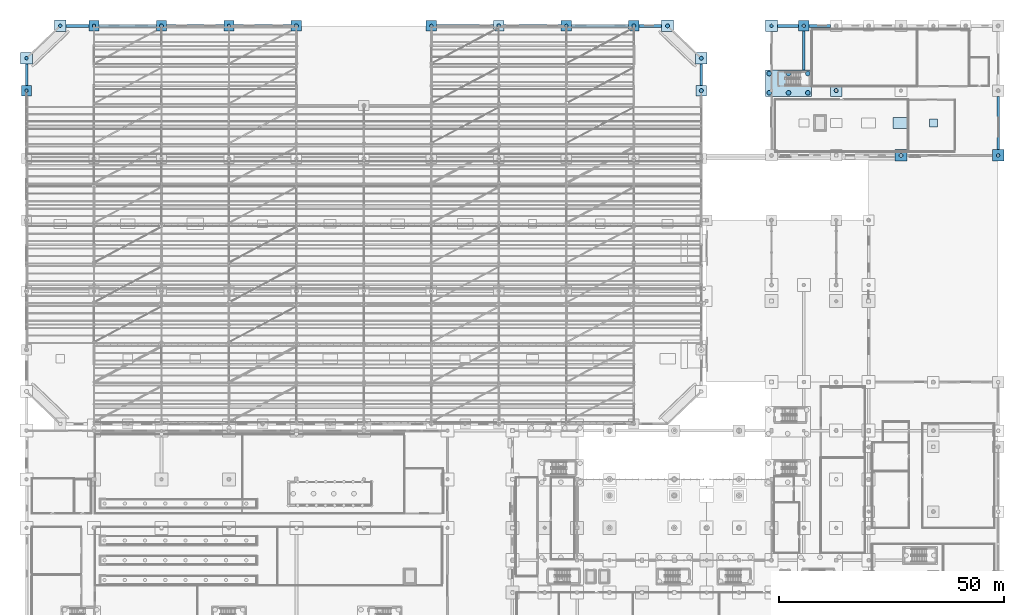
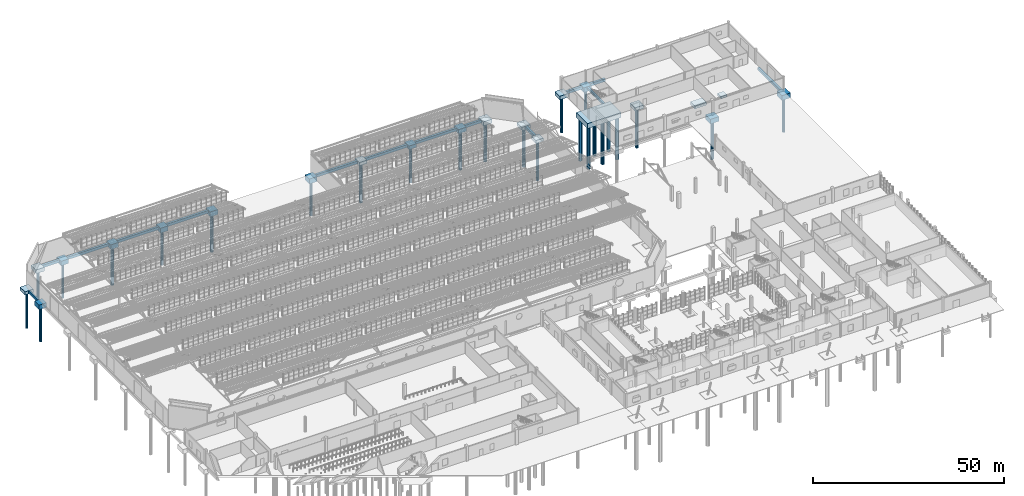
# One storey, part 10 of 285: 36 footings, 25 piles.
"""IFC4 building model written with IfcOpenShell, lengths in metres."""

import ifcopenshell
import ifcopenshell.guid

model = None  # the IFC model being written
_history = None  # IfcOwnerHistory: only IFC2X3 demands one
_inside = {}  # id of a spatial element -> (the spatial element, [elements in it])
_under = {}  # id of a project, library or spatial element -> (it, [spatial elements below it])
_declared = {}  # id of a project -> (the project, [libraries it declares])
_typed = {}  # id of a type object -> (the type object, [elements of that type])
_made_of = {}  # id of a material, layer set ... -> (it, [elements and type objects made of it])


def new_model(schema):
    """Start an empty IFC model of exactly this schema.

    Asked for "IFC4X3", IfcOpenShell would pick the latest addendum, in which some entities
    have other attributes; the version numbers below select the first issue.
    IFC2X3 requires an IfcOwnerHistory on every rooted entity: one is made here for all.
    """
    global model, _history
    if schema == "IFC4X3":
        model = ifcopenshell.file(schema_version=(4, 3, 0, 0))
    else:
        model = ifcopenshell.file(schema=schema)
    _inside.clear()
    _under.clear()
    _declared.clear()
    _typed.clear()
    _made_of.clear()
    _history = None
    if model.schema == "IFC2X3":
        org = make("IfcOrganization", Name="unknown")
        user = make(
            "IfcPersonAndOrganization",
            ThePerson=make("IfcPerson", FamilyName="unknown"),
            TheOrganization=org,
        )
        app = make(
            "IfcApplication",
            ApplicationDeveloper=org,
            Version="unknown",
            ApplicationFullName="unknown",
            ApplicationIdentifier="unknown",
        )
        _history = make(
            "IfcOwnerHistory",
            OwningUser=user,
            OwningApplication=app,
            ChangeAction="ADDED",
            CreationDate=0,
        )
    return model


def make(cls, **values):
    """One entity of the class cls with the attributes given. An attribute that is None is left unset."""
    return model.create_entity(
        cls, **{name: value for name, value in values.items() if value is not None}
    )


def rooted(cls, **values):
    """An entity with a GlobalId (a new one), such as an element, a storey or a relation."""
    return make(cls, GlobalId=ifcopenshell.guid.new(), OwnerHistory=_history, **values)


def si_unit(unit_type, name, prefix=None):
    """IfcSIUnit, for example si_unit("LENGTHUNIT", "METRE", prefix="MILLI")."""
    return make("IfcSIUnit", UnitType=unit_type, Prefix=prefix, Name=name)


def assignment(units):
    """IfcUnitAssignment: the units of a project."""
    return None if units is None else make("IfcUnitAssignment", Units=units)


def point(xyz):
    """IfcCartesianPoint."""
    return None if xyz is None else make("IfcCartesianPoint", Coordinates=xyz)


def direction(xyz):
    """IfcDirection."""
    return None if xyz is None else make("IfcDirection", DirectionRatios=xyz)


def frame(location, z_axis=None, x_axis=None):
    """IfcAxis2Placement3D, a coordinate frame: its origin and axes. An axis left out is left unset."""
    return make(
        "IfcAxis2Placement3D",
        Location=point(location),
        Axis=direction(z_axis),
        RefDirection=direction(x_axis),
    )


def frame_2d(location, x_axis=None):
    """IfcAxis2Placement2D, a coordinate frame in the plane: its origin and x axis."""
    return make(
        "IfcAxis2Placement2D", Location=point(location), RefDirection=direction(x_axis)
    )


def origin():
    """The frame at (0, 0, 0) with its axes left unset."""
    return frame((0.0, 0.0, 0.0))


def origin_2d():
    """The frame at (0, 0) in the plane with its x axis left unset."""
    return frame_2d((0.0, 0.0))


def place(relative_to, where):
    """IfcLocalPlacement: puts the frame where relative to a parent placement (None: the world)."""
    return make(
        "IfcLocalPlacement", PlacementRelTo=relative_to, RelativePlacement=where
    )


def context(
    kind, dimensions, precision=None, world=None, true_north=None, identifier=None
):
    """IfcGeometricRepresentationContext, for example the 3D "Model" context."""
    return make(
        "IfcGeometricRepresentationContext",
        ContextIdentifier=identifier,
        ContextType=kind,
        CoordinateSpaceDimension=dimensions,
        Precision=precision,
        WorldCoordinateSystem=world,
        TrueNorth=true_north,
    )


def subcontext(parent, identifier, kind, view, scale=None):
    """IfcGeometricRepresentationSubContext, for example "Body" below "Model"."""
    return make(
        "IfcGeometricRepresentationSubContext",
        ContextIdentifier=identifier,
        ContextType=kind,
        ParentContext=parent,
        TargetScale=scale,
        TargetView=view,
    )


def project(units=None, contexts=None):
    """IfcProject with its units and contexts."""
    return rooted(
        "IfcProject",
        Name="project",
        RepresentationContexts=contexts,
        UnitsInContext=assignment(units),
    )


def spatial(cls, under=None, at=None, **own):
    """A site, building, storey or space (cls), placed at a placement, below another one or the project."""
    s = rooted(cls, ObjectPlacement=at, **own)
    if under is not None:
        _under.setdefault(under.id(), (under, []))[1].append(s)
    return s


def polyline(points):
    """IfcPolyline through the points."""
    return make("IfcPolyline", Points=[point(p) for p in points])


def profile(cls, at=None, kind="AREA", **sizes):
    """A parametric profile (cls). Its sizes go by their IFC names, for example OverallWidth=200.0."""
    return make(cls, ProfileType=kind, Position=at, **sizes)


def circle(**sizes):
    """IfcCircleProfileDef."""
    return profile("IfcCircleProfileDef", **sizes)


def outline(outer, holes=None, kind="AREA"):
    """IfcArbitraryClosedProfileDef: a profile drawn as a closed curve; with holes, ...WithVoids."""
    if holes is None:
        return make("IfcArbitraryClosedProfileDef", ProfileType=kind, OuterCurve=outer)
    return make(
        "IfcArbitraryProfileDefWithVoids",
        ProfileType=kind,
        OuterCurve=outer,
        InnerCurves=holes,
    )


def extrude(swept, where, along, depth):
    """IfcExtrudedAreaSolid: the profile swept, set in the frame where, extruded along a direction by depth."""
    return make(
        "IfcExtrudedAreaSolid",
        SweptArea=swept,
        Position=where,
        ExtrudedDirection=direction(along),
        Depth=depth,
    )


def shape(context_of_items, identifier, shape_type, items):
    """IfcShapeRepresentation: the items that make up one representation, for example the "Body"."""
    return make(
        "IfcShapeRepresentation",
        ContextOfItems=context_of_items,
        RepresentationIdentifier=identifier,
        RepresentationType=shape_type,
        Items=items,
    )


def material(Name=None, Category=None):
    """IfcMaterial."""
    return make("IfcMaterial", Name=Name, Category=Category)


def material_profile(
    of_material, cross_section, Name=None, Category=None, Priority=None
):
    """IfcMaterialProfile: a cross section and its material."""
    return make(
        "IfcMaterialProfile",
        Name=Name,
        Material=of_material,
        Profile=cross_section,
        Priority=Priority,
        Category=Category,
    )


def profile_set(profiles, Name=None, composite=None):
    """IfcMaterialProfileSet."""
    return make(
        "IfcMaterialProfileSet",
        Name=Name,
        MaterialProfiles=profiles,
        CompositeProfile=composite,
    )


def made_of(thing, what):
    """Note that an element or type object is made of a material, layer set ...; save() writes the relation."""
    if what is not None:
        _made_of.setdefault(what.id(), (what, []))[1].append(thing)
    return thing


def type_object(cls, material=None, **own):
    """A type object (cls), such as IfcWallType, which elements share."""
    return made_of(rooted(cls, **own), material)


def element(
    cls,
    number,
    at=None,
    inside=None,
    cuts=None,
    type_object=None,
    material=None,
    context=None,
    identifier="Body",
    shape_type=None,
    held_by="IfcProductDefinitionShape",
    body=None,
    shapes=None,
    **own,
):
    """One element of the class cls, such as IfcWall. Its Tag is "e" and its number.

    at: its placement. inside: the storey or other place that contains it. cuts: it is an
    opening in that element (IfcRelVoidsElement). A single representation is given by context,
    identifier, shape_type and body (its items); several are given by shapes. held_by: the class
    of the entity that holds the representations. save() writes the other relations.
    """
    e = rooted(cls, Tag="e%d" % number, ObjectPlacement=at, **own)
    if body is not None:
        shapes = [shape(context, identifier, shape_type, body)]
    if shapes is not None:
        e.Representation = make(held_by, Representations=shapes)
    if inside is not None:
        _inside.setdefault(inside.id(), (inside, []))[1].append(e)
    if cuts is not None:
        rooted(
            "IfcRelVoidsElement", RelatingBuildingElement=cuts, RelatedOpeningElement=e
        )
    if type_object is not None:
        _typed.setdefault(type_object.id(), (type_object, []))[1].append(e)
    return made_of(e, material)


def aggregate(whole, parts):
    """IfcRelAggregates: a whole, such as a stair, and the parts it consists of."""
    return rooted("IfcRelAggregates", RelatingObject=whole, RelatedObjects=parts)


def save(model, path):
    """Write the relations noted so far, then the file.

    IfcRelAggregates (storeys below a building ...), IfcRelContainedInSpatialStructure (elements
    in a storey), IfcRelDefinesByType, IfcRelAssociatesMaterial and IfcRelDeclares: one each for
    every whole, place, type object, material and project.
    """
    for whole, parts in _under.values():
        aggregate(whole, parts)
    for where, things in _inside.values():
        rooted(
            "IfcRelContainedInSpatialStructure",
            RelatedElements=things,
            RelatingStructure=where,
        )
    for kind, things in _typed.values():
        rooted("IfcRelDefinesByType", RelatedObjects=things, RelatingType=kind)
    for what, things in _made_of.values():
        rooted("IfcRelAssociatesMaterial", RelatedObjects=things, RelatingMaterial=what)
    for by, libraries in _declared.values():
        rooted("IfcRelDeclares", RelatingContext=by, RelatedDefinitions=libraries)
    model.write(path)


model = new_model("IFC4")

# Units and contexts
model_context = context("Model", 3, precision=1e-05, world=origin(), true_north=direction((0.0, 1.0)))
body_context = subcontext(model_context, "Body", "Model", "MODEL_VIEW")
ifc_project = project(units=[si_unit("LENGTHUNIT", "METRE"), si_unit("AREAUNIT", "SQUARE_METRE"), si_unit("VOLUMEUNIT", "CUBIC_METRE"), si_unit("PLANEANGLEUNIT", "RADIAN"), si_unit("MASSUNIT", "GRAM", prefix="KILO")], contexts=[model_context])

# Site, building, storey
site_placement = place(None, origin())
site = spatial("IfcSite", under=ifc_project, at=site_placement, CompositionType="ELEMENT")
building_placement = place(site_placement, origin())
building = spatial("IfcBuilding", under=site, at=building_placement, Name="Solanera Park Tramway Depot", CompositionType="ELEMENT")
storey_placement = place(building_placement, origin())
storey = spatial("IfcBuildingStorey", under=building, at=storey_placement, Name="L00", CompositionType="ELEMENT", Elevation=0.0)

# Footings
ifc_material_1 = material(Name="Concrete N40 (C40/50)", Category="concrete")
footing_type_1 = type_object("IfcFootingType", Name="Bored Pile Cap PC-01 2300x2300x900", PredefinedType="PILE_CAP", material=ifc_material_1)
footing_1_placement = place(storey_placement, frame((0.0, 0.0, -1.35009765625)))
element("IfcFooting", 1, at=footing_1_placement, inside=storey, type_object=footing_type_1, Name="Pile Cap PC-01 #180", PredefinedType="PILE_CAP", context=body_context, shape_type="SweptSolid", body=[
    extrude(outline(polyline([(151.14990234375, 128.449951171875), (151.14990234375, 130.75), (148.85009765625, 130.75), (148.85009765625, 128.449951171875), (151.14990234375, 128.449951171875)])), origin(), (0.0, 0.0, 1.0), 0.900146484375),
])
ifc_material_2 = material(Name="Concrete N40 (C40/50)", Category="concrete")
footing_type_2 = type_object("IfcFootingType", Name="Bored Pile Cap PC-02 2600x2600x1000", PredefinedType="PILE_CAP", material=ifc_material_2)
footing_2_placement = place(storey_placement, frame((0.0, 0.0, -1.449951171875)))
element("IfcFooting", 2, at=footing_2_placement, inside=storey, type_object=footing_type_2, Name="Pile Cap PC-02 #181", PredefinedType="PILE_CAP", context=body_context, shape_type="SweptSolid", body=[
    extrude(outline(polyline([(1.300048828125, 135.5), (1.300048828125, 138.10009765625), (-1.300048828125, 138.10009765625), (-1.300048828125, 135.5), (1.300048828125, 135.5)])), origin(), (0.0, 0.0, 1.0), 1.0),
])
ifc_material_3 = material(Name="Concrete N40 (C40/50)", Category="concrete")
footing_type_3 = type_object("IfcFootingType", Name="Bored Pile Cap PC-03 2900x2900x1100", PredefinedType="PILE_CAP", material=ifc_material_3)
footing_3_placement = place(storey_placement, frame((0.0, 0.0, -1.550048828125)))
element("IfcFooting", 3, at=footing_3_placement, inside=storey, type_object=footing_type_3, Name="Pile Cap PC-03 #182", PredefinedType="PILE_CAP", context=body_context, shape_type="SweptSolid", body=[
    extrude(outline(polyline([(151.300048828125, 135.5), (151.300048828125, 138.10009765625), (148.699951171875, 138.10009765625), (148.699951171875, 135.5), (151.300048828125, 135.5)])), origin(), (0.0, 0.0, 1.0), 1.10009765625),
])
ifc_material_4 = material(Name="Concrete N40 (C40/50)", Category="concrete")
footing_type_4 = type_object("IfcFootingType", Name="Bored Pile Cap PC-04 3200x3200x1200", PredefinedType="PILE_CAP", material=ifc_material_4)
footing_4_placement = place(storey_placement, frame((0.0, 0.0, -1.64990234375)))
element("IfcFooting", 4, at=footing_4_placement, inside=storey, type_object=footing_type_4, Name="Pile Cap PC-04 #183", PredefinedType="PILE_CAP", context=body_context, shape_type="SweptSolid", body=[
    extrude(outline(polyline([(8.800048828125, 142.699951171875), (8.800048828125, 145.300048828125), (6.199951171875, 145.300048828125), (6.199951171875, 142.699951171875), (8.800048828125, 142.699951171875)])), origin(), (0.0, 0.0, 1.0), 1.199951171875),
])
ifc_material_5 = material(Name="Concrete N40 (C40/50)", Category="concrete")
footing_type_5 = type_object("IfcFootingType", Name="Bored Pile Cap PC-05 3500x3500x1300", PredefinedType="PILE_CAP", material=ifc_material_5)
footing_5_placement = place(storey_placement, frame((0.0, 0.0, -1.75)))
element("IfcFooting", 5, at=footing_5_placement, inside=storey, type_object=footing_type_5, Name="Pile Cap PC-05 #184", PredefinedType="PILE_CAP", context=body_context, shape_type="SweptSolid", body=[
    extrude(outline(polyline([(143.800048828125, 142.699951171875), (143.800048828125, 145.300048828125), (141.199951171875, 145.300048828125), (141.199951171875, 142.699951171875), (143.800048828125, 142.699951171875)])), origin(), (0.0, 0.0, 1.0), 1.300048828125),
])
ifc_material_6 = material(Name="Concrete N40 (C40/50)", Category="concrete")
footing_type_6 = type_object("IfcFootingType", Name="Bored Pile Cap PC-06 3800x2600x1150", PredefinedType="PILE_CAP", material=ifc_material_6)
footing_6_placement = place(storey_placement, frame((0.0, 0.0, -1.52490234375)))
element("IfcFooting", 6, at=footing_6_placement, inside=storey, type_object=footing_type_6, Name="Pile Cap PC-06 #185", PredefinedType="PILE_CAP", context=body_context, shape_type="SweptSolid", body=[
    extrude(outline(polyline([(166.89990234375, 142.699951171875), (166.89990234375, 145.300048828125), (164.300048828125, 145.300048828125), (164.300048828125, 142.699951171875), (166.89990234375, 142.699951171875)])), origin(), (0.0, 0.0, 1.0), 1.14990234375),
])
ifc_material_7 = material(Name="Concrete N40 (C40/50)", Category="concrete")
footing_type_7 = type_object("IfcFootingType", Name="Bored Pile Cap PC-10 5800x3800x1450", PredefinedType="PILE_CAP", material=ifc_material_7)
footing_7_placement = place(storey_placement, frame((0.0, 0.0, -1.89990234375)))
element("IfcFooting", 7, at=footing_7_placement, inside=storey, type_object=footing_type_7, Name="Pile Cap PC-10 #189", PredefinedType="PILE_CAP", context=body_context, shape_type="SweptSolid", body=[
    extrude(outline(polyline([(16.14990234375, 142.85009765625), (16.14990234375, 145.14990234375), (13.85009765625, 145.14990234375), (13.85009765625, 142.85009765625), (16.14990234375, 142.85009765625)])), origin(), (0.0, 0.0, 1.0), 1.449951171875),
])
ifc_material_8 = material(Name="Concrete N40 (C40/50)", Category="concrete")
footing_type_8 = type_object("IfcFootingType", Name="Bored Pile Cap PC-11 6500x4200x1500", PredefinedType="PILE_CAP", material=ifc_material_8)
footing_8_placement = place(storey_placement, frame((0.0, 0.0, -1.875)))
element("IfcFooting", 8, at=footing_8_placement, inside=storey, type_object=footing_type_8, Name="Pile Cap PC-11 #172", PredefinedType="PILE_CAP", context=body_context, shape_type="SweptSolid", body=[
    extrude(outline(polyline([(195.699951171875, 113.89990234375), (195.699951171875, 116.5), (193.10009765625, 116.5), (193.10009765625, 113.89990234375), (195.699951171875, 113.89990234375)])), origin(), (0.0, 0.0, 1.0), 1.5),
])
footing_9_placement = place(storey_placement, frame((0.0, 0.0, -1.949951171875)))
element("IfcFooting", 9, at=footing_9_placement, inside=storey, type_object=footing_type_8, Name="Pile Cap PC-11 #190", PredefinedType="PILE_CAP", context=body_context, shape_type="SweptSolid", body=[
    extrude(outline(polyline([(31.14990234375, 142.85009765625), (31.14990234375, 145.14990234375), (28.85009765625, 145.14990234375), (28.85009765625, 142.85009765625), (31.14990234375, 142.85009765625)])), origin(), (0.0, 0.0, 1.0), 1.5),
])
ifc_material_9 = material(Name="Concrete N40 (C40/50)", Category="concrete")
footing_type_9 = type_object("IfcFootingType", Name="Bored Pile Cap PC-12 7400x4500x1550", PredefinedType="PILE_CAP", material=ifc_material_9)
footing_10_placement = place(storey_placement, frame((0.0, 0.0, -1.925048828125)))
element("IfcFooting", 10, at=footing_10_placement, inside=storey, type_object=footing_type_9, Name="Pile Cap PC-12 #173", PredefinedType="PILE_CAP", context=body_context, shape_type="SweptSolid", body=[
    extrude(outline(polyline([(217.300048828125, 113.89990234375), (217.300048828125, 116.5), (214.699951171875, 116.5), (214.699951171875, 113.89990234375), (217.300048828125, 113.89990234375)])), origin(), (0.0, 0.0, 1.0), 1.550048828125),
])
footing_11_placement = place(storey_placement, frame((0.0, 0.0, -2.0)))
element("IfcFooting", 11, at=footing_11_placement, inside=storey, type_object=footing_type_9, Name="Pile Cap PC-12 #191", PredefinedType="PILE_CAP", context=body_context, shape_type="SweptSolid", body=[
    extrude(outline(polyline([(46.14990234375, 142.85009765625), (46.14990234375, 145.14990234375), (43.85009765625, 145.14990234375), (43.85009765625, 142.85009765625), (46.14990234375, 142.85009765625)])), origin(), (0.0, 0.0, 1.0), 1.550048828125),
])
ifc_material_10 = material(Name="Concrete N40 (C40/50)", Category="concrete")
footing_type_10 = type_object("IfcFootingType", Name="Bored Pile Cap PC-13 8400x4800x1600", PredefinedType="PILE_CAP", material=ifc_material_10)
footing_12_placement = place(storey_placement, frame((0.0, 0.0, -2.050048828125)))
element("IfcFooting", 12, at=footing_12_placement, inside=storey, type_object=footing_type_10, Name="Pile Cap PC-13 #192", PredefinedType="PILE_CAP", context=body_context, shape_type="SweptSolid", body=[
    extrude(outline(polyline([(61.14990234375, 142.85009765625), (61.14990234375, 145.14990234375), (58.85009765625, 145.14990234375), (58.85009765625, 142.85009765625), (61.14990234375, 142.85009765625)])), origin(), (0.0, 0.0, 1.0), 1.60009765625),
])
ifc_material_11 = material(Name="Concrete N40 (C40/50)", Category="concrete")
footing_type_11 = type_object("IfcFootingType", Name="Bored Pile Cap PC-14 9600x5200x1600", PredefinedType="PILE_CAP", material=ifc_material_11)
footing_13_placement = place(storey_placement, frame((0.0, 0.0, -1.97509765625)))
element("IfcFooting", 13, at=footing_13_placement, inside=storey, type_object=footing_type_11, Name="Pile Cap PC-14 #175", PredefinedType="PILE_CAP", context=body_context, shape_type="SweptSolid", body=[
    extrude(outline(polyline([(174.5, 128.300048828125), (174.5, 134.199951171875), (164.300048828125, 134.199951171875), (164.300048828125, 128.300048828125), (174.5, 128.300048828125)])), origin(), (0.0, 0.0, 1.0), 1.60009765625),
])
footing_14_placement = place(storey_placement, frame((0.0, 0.0, -2.050048828125)))
element("IfcFooting", 14, at=footing_14_placement, inside=storey, type_object=footing_type_11, Name="Pile Cap PC-14 #193", PredefinedType="PILE_CAP", context=body_context, shape_type="SweptSolid", body=[
    extrude(outline(polyline([(91.14990234375, 142.85009765625), (91.14990234375, 145.14990234375), (88.85009765625, 145.14990234375), (88.85009765625, 142.85009765625), (91.14990234375, 142.85009765625)])), origin(), (0.0, 0.0, 1.0), 1.60009765625),
])
ifc_material_12 = material(Name="Concrete N40 (C40/50)", Category="concrete")
footing_type_12 = type_object("IfcFootingType", Name="Bored Pile Cap PC-15 2750x2750x1050", PredefinedType="PILE_CAP", material=ifc_material_12)
footing_15_placement = place(storey_placement, frame((0.0, 0.0, -1.425048828125)))
element("IfcFooting", 15, at=footing_15_placement, inside=storey, type_object=footing_type_12, Name="Pile Cap PC-15 #176", PredefinedType="PILE_CAP", context=body_context, shape_type="SweptSolid", body=[
    extrude(outline(polyline([(181.300048828125, 128.300048828125), (181.300048828125, 130.89990234375), (178.699951171875, 130.89990234375), (178.699951171875, 128.300048828125), (181.300048828125, 128.300048828125)])), origin(), (0.0, 0.0, 1.0), 1.050048828125),
])
footing_16_placement = place(storey_placement, frame((0.0, 0.0, -1.5)))
element("IfcFooting", 16, at=footing_16_placement, inside=storey, type_object=footing_type_12, Name="Pile Cap PC-15 #194", PredefinedType="PILE_CAP", context=body_context, shape_type="SweptSolid", body=[
    extrude(outline(polyline([(106.14990234375, 142.85009765625), (106.14990234375, 145.14990234375), (103.85009765625, 145.14990234375), (103.85009765625, 142.85009765625), (106.14990234375, 142.85009765625)])), origin(), (0.0, 0.0, 1.0), 1.050048828125),
])
ifc_material_13 = material(Name="Concrete N40 (C40/50)", Category="concrete")
footing_type_13 = type_object("IfcFootingType", Name="Bored Pile Cap PC-16 3050x3050x1150", PredefinedType="PILE_CAP", material=ifc_material_13)
footing_17_placement = place(storey_placement, frame((0.0, 0.0, -1.60009765625)))
element("IfcFooting", 17, at=footing_17_placement, inside=storey, type_object=footing_type_13, Name="Pile Cap PC-16 #195", PredefinedType="PILE_CAP", context=body_context, shape_type="SweptSolid", body=[
    extrude(outline(polyline([(121.14990234375, 142.85009765625), (121.14990234375, 145.14990234375), (118.85009765625, 145.14990234375), (118.85009765625, 142.85009765625), (121.14990234375, 142.85009765625)])), origin(), (0.0, 0.0, 1.0), 1.150146484375),
])
ifc_material_14 = material(Name="Concrete N40 (C40/50)", Category="concrete")
footing_type_14 = type_object("IfcFootingType", Name="Bored Pile Cap PC-17 4900x3100x1300", PredefinedType="PILE_CAP", material=ifc_material_14)
footing_18_placement = place(storey_placement, frame((0.0, 0.0, -1.75)))
element("IfcFooting", 18, at=footing_18_placement, inside=storey, type_object=footing_type_14, Name="Pile Cap PC-17 #196", PredefinedType="PILE_CAP", context=body_context, shape_type="SweptSolid", body=[
    extrude(outline(polyline([(136.14990234375, 142.85009765625), (136.14990234375, 145.14990234375), (133.85009765625, 145.14990234375), (133.85009765625, 142.85009765625), (136.14990234375, 142.85009765625)])), origin(), (0.0, 0.0, 1.0), 1.300048828125),
])
ifc_material_15 = material(Name="Concrete N40 (C40/50)", Category="concrete")
footing_type_15 = type_object("IfcFootingType", Name="Bored Pile Cap PC-18 6200x3900x1480", PredefinedType="PILE_CAP", material=ifc_material_15)
footing_19_placement = place(storey_placement, frame((0.0, 0.0, -1.929931640625)))
element("IfcFooting", 19, at=footing_19_placement, inside=storey, type_object=footing_type_15, Name="Pile Cap PC-18 #179", PredefinedType="PILE_CAP", context=body_context, shape_type="SweptSolid", body=[
    extrude(outline(polyline([(1.14990234375, 128.449951171875), (1.14990234375, 130.75), (-1.14990234375, 130.75), (-1.14990234375, 128.449951171875), (1.14990234375, 128.449951171875)])), origin(), (0.0, 0.0, 1.0), 1.47998046875),
])
footing_20_placement = place(storey_placement, frame((0.0, 0.0, -1.85498046875)))
element("IfcFooting", 20, at=footing_20_placement, inside=storey, type_object=footing_type_15, Name="Pile Cap PC-18 #197", PredefinedType="PILE_CAP", context=body_context, shape_type="SweptSolid", body=[
    extrude(outline(polyline([(173.949951171875, 142.85009765625), (173.949951171875, 145.14990234375), (171.64990234375, 145.14990234375), (171.64990234375, 142.85009765625), (173.949951171875, 142.85009765625)])), origin(), (0.0, 0.0, 1.0), 1.47998046875),
])
ifc_material_16 = material(Name="Concrete N40 (C40/50)", Category="concrete")
footing_type_16 = type_object("IfcFootingType", Name="Equipment Pad Footing PF-01 1800x1800x700", PredefinedType="PAD_FOOTING", material=ifc_material_16)
footing_21_placement = place(storey_placement, frame((0.0, 0.0, -1.074951171875)))
element("IfcFooting", 21, at=footing_21_placement, inside=storey, type_object=footing_type_16, Name="Equipment Pad Footing PF-01 #025", PredefinedType="PAD_FOOTING", context=body_context, shape_type="SweptSolid", body=[
    extrude(outline(polyline([(202.5, 121.5), (202.5, 123.300048828125), (200.699951171875, 123.300048828125), (200.699951171875, 121.5), (202.5, 121.5)])), origin(), (0.0, 0.0, 1.0), 0.699951171875),
])
ifc_material_17 = material(Name="Concrete N40 (C40/50)", Category="concrete")
footing_type_17 = type_object("IfcFootingType", Name="Equipment Pad Footing PF-10 3450x2350x920", PredefinedType="PAD_FOOTING", material=ifc_material_17)
footing_22_placement = place(storey_placement, frame((0.0, 0.0, -1.294921875)))
element("IfcFooting", 22, at=footing_22_placement, inside=storey, type_object=footing_type_17, Name="Equipment Pad Footing PF-10 #024", PredefinedType="PAD_FOOTING", context=body_context, shape_type="SweptSolid", body=[
    extrude(outline(polyline([(196.125, 121.22509765625), (196.125, 123.574951171875), (192.675048828125, 123.574951171875), (192.675048828125, 121.22509765625), (196.125, 121.22509765625)])), origin(), (0.0, 0.0, 1.0), 0.919921875),
])
ifc_material_18 = material(Name="Concrete N40 (C40/50)", Category="concrete")
footing_type_18 = type_object("IfcFootingType", Name="Ground Tie Beam GB-01 500x700", PredefinedType="FOOTING_BEAM", material=ifc_material_18)
footing_23_placement = place(storey_placement, frame((0.0, 0.0, -1.074951171875)))
element("IfcFooting", 23, at=footing_23_placement, inside=storey, type_object=footing_type_18, Name="Ground Tie Beam GB-01 #140", PredefinedType="FOOTING_BEAM", context=body_context, shape_type="SweptSolid", body=[
    extrude(outline(polyline([(173.050048828125, 134.199951171875), (173.050048828125, 142.85009765625), (172.550048828125, 142.85009765625), (172.550048828125, 134.199951171875), (173.050048828125, 134.199951171875)])), origin(), (0.0, 0.0, 1.0), 0.699951171875),
])
ifc_material_19 = material(Name="Concrete N40 (C40/50)", Category="concrete")
footing_type_19 = type_object("IfcFootingType", Name="Ground Tie Beam GB-02 550x750", PredefinedType="FOOTING_BEAM", material=ifc_material_19)
footing_24_placement = place(storey_placement, frame((0.0, 0.0, -1.199951171875)))
element("IfcFooting", 24, at=footing_24_placement, inside=storey, type_object=footing_type_19, Name="Ground Tie Beam GB-02 #115", PredefinedType="FOOTING_BEAM", context=body_context, shape_type="SweptSolid", body=[
    extrude(outline(polyline([(0.27490234375, 130.75), (0.27490234375, 135.5), (-0.27490234375, 135.5), (-0.27490234375, 130.75), (0.27490234375, 130.75)])), origin(), (0.0, 0.0, 1.0), 0.75),
])
ifc_material_20 = material(Name="Concrete N40 (C40/50)", Category="concrete")
footing_type_20 = type_object("IfcFootingType", Name="Ground Tie Beam GB-03 600x800", PredefinedType="FOOTING_BEAM", material=ifc_material_20)
footing_25_placement = place(storey_placement, frame((0.0, 0.0, -1.175048828125)))
element("IfcFooting", 25, at=footing_25_placement, inside=storey, type_object=footing_type_20, Name="Ground Tie Beam GB-03 #153", PredefinedType="FOOTING_BEAM", context=body_context, shape_type="SweptSolid", body=[
    extrude(outline(polyline([(216.300048828125, 116.5), (216.300048828125, 128.300048828125), (215.699951171875, 128.300048828125), (215.699951171875, 116.5), (216.300048828125, 116.5)])), origin(), (0.0, 0.0, 1.0), 0.800048828125),
])
ifc_material_21 = material(Name="Concrete N40 (C40/50)", Category="concrete")
footing_type_21 = type_object("IfcFootingType", Name="Ground Tie Beam GB-04 650x850", PredefinedType="FOOTING_BEAM", material=ifc_material_21)
footing_26_placement = place(storey_placement, frame((0.0, 0.0, -1.300048828125)))
element("IfcFooting", 26, at=footing_26_placement, inside=storey, type_object=footing_type_21, Name="Ground Tie Beam GB-04 #091", PredefinedType="FOOTING_BEAM", context=body_context, shape_type="SweptSolid", body=[
    extrude(outline(polyline([(13.85009765625, 143.675048828125), (13.85009765625, 144.324951171875), (8.800048828125, 144.324951171875), (8.800048828125, 143.675048828125), (13.85009765625, 143.675048828125)])), origin(), (0.0, 0.0, 1.0), 0.85009765625),
])
footing_27_placement = place(storey_placement, frame((0.0, 0.0, -1.300048828125)))
element("IfcFooting", 27, at=footing_27_placement, inside=storey, type_object=footing_type_21, Name="Ground Tie Beam GB-04 #092", PredefinedType="FOOTING_BEAM", context=body_context, shape_type="SweptSolid", body=[
    extrude(outline(polyline([(28.85009765625, 143.675048828125), (28.85009765625, 144.324951171875), (16.14990234375, 144.324951171875), (16.14990234375, 143.675048828125), (28.85009765625, 143.675048828125)])), origin(), (0.0, 0.0, 1.0), 0.85009765625),
])
footing_28_placement = place(storey_placement, frame((0.0, 0.0, -1.300048828125)))
element("IfcFooting", 28, at=footing_28_placement, inside=storey, type_object=footing_type_21, Name="Ground Tie Beam GB-04 #093", PredefinedType="FOOTING_BEAM", context=body_context, shape_type="SweptSolid", body=[
    extrude(outline(polyline([(43.85009765625, 143.675048828125), (43.85009765625, 144.324951171875), (31.14990234375, 144.324951171875), (31.14990234375, 143.675048828125), (43.85009765625, 143.675048828125)])), origin(), (0.0, 0.0, 1.0), 0.85009765625),
])
footing_29_placement = place(storey_placement, frame((0.0, 0.0, -1.300048828125)))
element("IfcFooting", 29, at=footing_29_placement, inside=storey, type_object=footing_type_21, Name="Ground Tie Beam GB-04 #094", PredefinedType="FOOTING_BEAM", context=body_context, shape_type="SweptSolid", body=[
    extrude(outline(polyline([(58.85009765625, 143.675048828125), (58.85009765625, 144.324951171875), (46.14990234375, 144.324951171875), (46.14990234375, 143.675048828125), (58.85009765625, 143.675048828125)])), origin(), (0.0, 0.0, 1.0), 0.85009765625),
])
footing_30_placement = place(storey_placement, frame((0.0, 0.0, -1.300048828125)))
element("IfcFooting", 30, at=footing_30_placement, inside=storey, type_object=footing_type_21, Name="Ground Tie Beam GB-04 #095", PredefinedType="FOOTING_BEAM", context=body_context, shape_type="SweptSolid", body=[
    extrude(outline(polyline([(103.85009765625, 143.675048828125), (103.85009765625, 144.324951171875), (91.14990234375, 144.324951171875), (91.14990234375, 143.675048828125), (103.85009765625, 143.675048828125)])), origin(), (0.0, 0.0, 1.0), 0.85009765625),
])
footing_31_placement = place(storey_placement, frame((0.0, 0.0, -1.300048828125)))
element("IfcFooting", 31, at=footing_31_placement, inside=storey, type_object=footing_type_21, Name="Ground Tie Beam GB-04 #096", PredefinedType="FOOTING_BEAM", context=body_context, shape_type="SweptSolid", body=[
    extrude(outline(polyline([(118.85009765625, 143.675048828125), (118.85009765625, 144.324951171875), (106.14990234375, 144.324951171875), (106.14990234375, 143.675048828125), (118.85009765625, 143.675048828125)])), origin(), (0.0, 0.0, 1.0), 0.85009765625),
])
footing_32_placement = place(storey_placement, frame((0.0, 0.0, -1.300048828125)))
element("IfcFooting", 32, at=footing_32_placement, inside=storey, type_object=footing_type_21, Name="Ground Tie Beam GB-04 #097", PredefinedType="FOOTING_BEAM", context=body_context, shape_type="SweptSolid", body=[
    extrude(outline(polyline([(133.85009765625, 143.675048828125), (133.85009765625, 144.324951171875), (121.14990234375, 144.324951171875), (121.14990234375, 143.675048828125), (133.85009765625, 143.675048828125)])), origin(), (0.0, 0.0, 1.0), 0.85009765625),
])
footing_33_placement = place(storey_placement, frame((0.0, 0.0, -1.300048828125)))
element("IfcFooting", 33, at=footing_33_placement, inside=storey, type_object=footing_type_21, Name="Ground Tie Beam GB-04 #098", PredefinedType="FOOTING_BEAM", context=body_context, shape_type="SweptSolid", body=[
    extrude(outline(polyline([(141.199951171875, 143.675048828125), (141.199951171875, 144.324951171875), (136.14990234375, 144.324951171875), (136.14990234375, 143.675048828125), (141.199951171875, 143.675048828125)])), origin(), (0.0, 0.0, 1.0), 0.85009765625),
])
footing_34_placement = place(storey_placement, frame((0.0, 0.0, -1.22509765625)))
element("IfcFooting", 34, at=footing_34_placement, inside=storey, type_object=footing_type_21, Name="Ground Tie Beam GB-04 #099", PredefinedType="FOOTING_BEAM", context=body_context, shape_type="SweptSolid", body=[
    extrude(outline(polyline([(171.64990234375, 143.675048828125), (171.64990234375, 144.324951171875), (166.89990234375, 144.324951171875), (166.89990234375, 143.675048828125), (171.64990234375, 143.675048828125)])), origin(), (0.0, 0.0, 1.0), 0.85009765625),
])
footing_35_placement = place(storey_placement, frame((0.0, 0.0, -1.22509765625)))
element("IfcFooting", 35, at=footing_35_placement, inside=storey, type_object=footing_type_21, Name="Ground Tie Beam GB-04 #100", PredefinedType="FOOTING_BEAM", context=body_context, shape_type="SweptSolid", body=[
    extrude(outline(polyline([(178.699951171875, 143.675048828125), (178.699951171875, 144.324951171875), (173.949951171875, 144.324951171875), (173.949951171875, 143.675048828125), (178.699951171875, 143.675048828125)])), origin(), (0.0, 0.0, 1.0), 0.85009765625),
])
footing_36_placement = place(storey_placement, frame((0.0, 0.0, -1.300048828125)))
element("IfcFooting", 36, at=footing_36_placement, inside=storey, type_object=footing_type_21, Name="Ground Tie Beam GB-04 #133", PredefinedType="FOOTING_BEAM", context=body_context, shape_type="SweptSolid", body=[
    extrude(outline(polyline([(150.324951171875, 130.75), (150.324951171875, 135.5), (149.675048828125, 135.5), (149.675048828125, 130.75), (150.324951171875, 130.75)])), origin(), (0.0, 0.0, 1.0), 0.85009765625),
])

# Piles
ifc_material_22 = material(Name="Concrete N40 (C40/50)", Category="concrete")
ifc_material_profile_1 = material_profile(ifc_material_22, circle(Radius=0.52490234375, at=origin_2d()), Name="BORED PILE 1050")
ifc_profile_set_1 = profile_set([ifc_material_profile_1], Name="Concrete N40 (C40/50)")
pile_type_1 = type_object("IfcPileType", Name="Rock Socketed BORED PILE 1050", PredefinedType="BORED", material=ifc_profile_set_1)
for number, where, z_axis, x_axis, name in (
    (37, (165.10498046875, 129.10498046875, -1.875), (0.0, 0.0, -1.0), (1.0, 0.0, 0.0), "Bored Pile BORED PILE 1050 #0219"),
    (38, (165.10498046875, 133.39501953125, -1.875), (0.0, 0.0, -1.0), (1.0, 0.0, 0.0), "Bored Pile BORED PILE 1050 #0220"),
    (39, (169.39990234375, 129.10498046875, -1.875), (0.0, 0.0, -1.0), (1.0, 0.0, 0.0), "Bored Pile BORED PILE 1050 #0221"),
    (40, (169.39990234375, 133.39501953125, -1.875), (0.0, 0.0, -1.0), (1.0, 0.0, 0.0), "Bored Pile BORED PILE 1050 #0222"),
    (41, (173.695068359375, 129.10498046875, -1.875), (0.0, 0.0, -1.0), (1.0, 0.0, 0.0), "Bored Pile BORED PILE 1050 #0223"),
    (42, (173.695068359375, 133.39501953125, -1.875), (0.0, 0.0, -1.0), (1.0, 0.0, 0.0), "Bored Pile BORED PILE 1050 #0224"),
):
    element("IfcPile", number, at=place(storey_placement, frame(where, z_axis=z_axis, x_axis=x_axis)), inside=storey, type_object=pile_type_1, Name=name, PredefinedType="BORED", context=body_context, shape_type="SweptSolid", body=[
        extrude(circle(Radius=0.52490234375, at=origin_2d()), origin(), (0.0, 0.0, 1.0), 13.52490234375),
    ])
ifc_material_23 = material(Name="Concrete N40 (C40/50)", Category="concrete")
ifc_material_profile_2 = material_profile(ifc_material_23, circle(Radius=0.375, at=origin_2d()), Name="BORED PILE 750")
ifc_profile_set_2 = profile_set([ifc_material_profile_2], Name="Concrete N40 (C40/50)")
pile_type_2 = type_object("IfcPileType", Name="Rock Socketed BORED PILE 750", PredefinedType="BORED", material=ifc_profile_set_2)
pile_1_placement = place(storey_placement, frame((216.0, 115.199951171875, -1.824951171875), z_axis=(0.0, 0.0, -1.0), x_axis=(1.0, 0.0, 0.0)))
element("IfcPile", 43, at=pile_1_placement, inside=storey, type_object=pile_type_2, Name="Bored Pile BORED PILE 750 #0217", PredefinedType="BORED", context=body_context, shape_type="SweptSolid", body=[
    extrude(circle(Radius=0.375, at=origin_2d()), origin(), (0.0, 0.0, 1.0), 11.27490234375),
])
pile_2_placement = place(storey_placement, frame((0.0, 129.60009765625, -1.830078125), z_axis=(0.0, 0.0, -1.0), x_axis=(1.0, 0.0, 0.0)))
element("IfcPile", 44, at=pile_2_placement, inside=storey, type_object=pile_type_2, Name="Bored Pile BORED PILE 750 #0228", PredefinedType="BORED", context=body_context, shape_type="SweptSolid", body=[
    extrude(circle(Radius=0.375, at=origin_2d()), origin(), (0.0, 0.0, 1.0), 11.27001953125),
])
pile_3_placement = place(storey_placement, frame((0.0, 136.800048828125, -1.35009765625), z_axis=(0.0, 0.0, -1.0), x_axis=(1.0, 0.0, 0.0)))
element("IfcPile", 45, at=pile_3_placement, inside=storey, type_object=pile_type_2, Name="Bored Pile BORED PILE 750 #0230", PredefinedType="BORED", context=body_context, shape_type="SweptSolid", body=[
    extrude(circle(Radius=0.375, at=origin_2d()), origin(), (0.0, 0.0, 1.0), 11.75),
])
pile_4_placement = place(storey_placement, frame((7.5, 144.0, -1.550048828125), z_axis=(0.0, 0.0, -1.0), x_axis=(1.0, 0.0, 0.0)))
element("IfcPile", 46, at=pile_4_placement, inside=storey, type_object=pile_type_2, Name="Bored Pile BORED PILE 750 #0232", PredefinedType="BORED", context=body_context, shape_type="SweptSolid", body=[
    extrude(circle(Radius=0.375, at=origin_2d()), origin(), (0.0, 0.0, 1.0), 11.550048828125),
])
pile_5_placement = place(storey_placement, frame((165.60009765625, 144.0, -1.425048828125), z_axis=(0.0, 0.0, -1.0), x_axis=(1.0, 0.0, 0.0)))
element("IfcPile", 47, at=pile_5_placement, inside=storey, type_object=pile_type_2, Name="Bored Pile BORED PILE 750 #0234", PredefinedType="BORED", context=body_context, shape_type="SweptSolid", body=[
    extrude(circle(Radius=0.375, at=origin_2d()), origin(), (0.0, 0.0, 1.0), 11.675048828125),
])
pile_6_placement = place(storey_placement, frame((15.0, 144.0, -1.800048828125), z_axis=(0.0, 0.0, -1.0), x_axis=(1.0, 0.0, 0.0)))
element("IfcPile", 48, at=pile_6_placement, inside=storey, type_object=pile_type_2, Name="Bored Pile BORED PILE 750 #0238", PredefinedType="BORED", context=body_context, shape_type="SweptSolid", body=[
    extrude(circle(Radius=0.375, at=origin_2d()), origin(), (0.0, 0.0, 1.0), 11.300048828125),
])
pile_7_placement = place(storey_placement, frame((45.0, 144.0, -1.89990234375), z_axis=(0.0, 0.0, -1.0), x_axis=(1.0, 0.0, 0.0)))
element("IfcPile", 49, at=pile_7_placement, inside=storey, type_object=pile_type_2, Name="Bored Pile BORED PILE 750 #0240", PredefinedType="BORED", context=body_context, shape_type="SweptSolid", body=[
    extrude(circle(Radius=0.375, at=origin_2d()), origin(), (0.0, 0.0, 1.0), 11.199951171875),
])
pile_8_placement = place(storey_placement, frame((90.0, 144.0, -1.949951171875), z_axis=(0.0, 0.0, -1.0), x_axis=(1.0, 0.0, 0.0)))
element("IfcPile", 50, at=pile_8_placement, inside=storey, type_object=pile_type_2, Name="Bored Pile BORED PILE 750 #0242", PredefinedType="BORED", context=body_context, shape_type="SweptSolid", body=[
    extrude(circle(Radius=0.375, at=origin_2d()), origin(), (0.0, 0.0, 1.0), 11.14990234375),
])
pile_9_placement = place(storey_placement, frame((120.0, 144.0, -1.5), z_axis=(0.0, 0.0, -1.0), x_axis=(1.0, 0.0, 0.0)))
element("IfcPile", 51, at=pile_9_placement, inside=storey, type_object=pile_type_2, Name="Bored Pile BORED PILE 750 #0244", PredefinedType="BORED", context=body_context, shape_type="SweptSolid", body=[
    extrude(circle(Radius=0.375, at=origin_2d()), origin(), (0.0, 0.0, 1.0), 11.60009765625),
])
pile_10_placement = place(storey_placement, frame((172.800048828125, 144.0, -1.7548828125), z_axis=(0.0, 0.0, -1.0), x_axis=(1.0, 0.0, 0.0)))
element("IfcPile", 52, at=pile_10_placement, inside=storey, type_object=pile_type_2, Name="Bored Pile BORED PILE 750 #0246", PredefinedType="BORED", context=body_context, shape_type="SweptSolid", body=[
    extrude(circle(Radius=0.375, at=origin_2d()), origin(), (0.0, 0.0, 1.0), 11.344970703125),
])
ifc_material_24 = material(Name="Concrete N40 (C40/50)", Category="concrete")
ifc_material_profile_3 = material_profile(ifc_material_24, circle(Radius=0.449951171875, at=origin_2d()), Name="BORED PILE 900")
ifc_profile_set_3 = profile_set([ifc_material_profile_3], Name="Concrete N40 (C40/50)")
pile_type_3 = type_object("IfcPileType", Name="Rock Socketed BORED PILE 900", PredefinedType="BORED", material=ifc_profile_set_3)
pile_11_placement = place(storey_placement, frame((194.39990234375, 115.199951171875, -1.77490234375), z_axis=(0.0, 0.0, -1.0), x_axis=(1.0, 0.0, 0.0)))
element("IfcPile", 53, at=pile_11_placement, inside=storey, type_object=pile_type_3, Name="Bored Pile BORED PILE 900 #0216", PredefinedType="BORED", context=body_context, shape_type="SweptSolid", body=[
    extrude(circle(Radius=0.449951171875, at=origin_2d()), origin(), (0.0, 0.0, 1.0), 12.425048828125),
])
pile_12_placement = place(storey_placement, frame((180.0, 129.60009765625, -1.324951171875), z_axis=(0.0, 0.0, -1.0), x_axis=(1.0, 0.0, 0.0)))
element("IfcPile", 54, at=pile_12_placement, inside=storey, type_object=pile_type_3, Name="Bored Pile BORED PILE 900 #0225", PredefinedType="BORED", context=body_context, shape_type="SweptSolid", body=[
    extrude(circle(Radius=0.449951171875, at=origin_2d()), origin(), (0.0, 0.0, 1.0), 12.875),
])
pile_13_placement = place(storey_placement, frame((150.0, 129.60009765625, -1.25), z_axis=(0.0, 0.0, -1.0), x_axis=(1.0, 0.0, 0.0)))
element("IfcPile", 55, at=pile_13_placement, inside=storey, type_object=pile_type_3, Name="Bored Pile BORED PILE 900 #0229", PredefinedType="BORED", context=body_context, shape_type="SweptSolid", body=[
    extrude(circle(Radius=0.449951171875, at=origin_2d()), origin(), (0.0, 0.0, 1.0), 12.949951171875),
])
pile_14_placement = place(storey_placement, frame((150.0, 136.800048828125, -1.449951171875), z_axis=(0.0, 0.0, -1.0), x_axis=(1.0, 0.0, 0.0)))
element("IfcPile", 56, at=pile_14_placement, inside=storey, type_object=pile_type_3, Name="Bored Pile BORED PILE 900 #0231", PredefinedType="BORED", context=body_context, shape_type="SweptSolid", body=[
    extrude(circle(Radius=0.449951171875, at=origin_2d()), origin(), (0.0, 0.0, 1.0), 12.75),
])
pile_15_placement = place(storey_placement, frame((142.5, 144.0, -1.64990234375), z_axis=(0.0, 0.0, -1.0), x_axis=(1.0, 0.0, 0.0)))
element("IfcPile", 57, at=pile_15_placement, inside=storey, type_object=pile_type_3, Name="Bored Pile BORED PILE 900 #0233", PredefinedType="BORED", context=body_context, shape_type="SweptSolid", body=[
    extrude(circle(Radius=0.449951171875, at=origin_2d()), origin(), (0.0, 0.0, 1.0), 12.550048828125),
])
pile_16_placement = place(storey_placement, frame((30.0, 144.0, -1.85009765625), z_axis=(0.0, 0.0, -1.0), x_axis=(1.0, 0.0, 0.0)))
element("IfcPile", 58, at=pile_16_placement, inside=storey, type_object=pile_type_3, Name="Bored Pile BORED PILE 900 #0239", PredefinedType="BORED", context=body_context, shape_type="SweptSolid", body=[
    extrude(circle(Radius=0.449951171875, at=origin_2d()), origin(), (0.0, 0.0, 1.0), 12.35009765625),
])
pile_17_placement = place(storey_placement, frame((60.0, 144.0, -1.949951171875), z_axis=(0.0, 0.0, -1.0), x_axis=(1.0, 0.0, 0.0)))
element("IfcPile", 59, at=pile_17_placement, inside=storey, type_object=pile_type_3, Name="Bored Pile BORED PILE 900 #0241", PredefinedType="BORED", context=body_context, shape_type="SweptSolid", body=[
    extrude(circle(Radius=0.449951171875, at=origin_2d()), origin(), (0.0, 0.0, 1.0), 12.25),
])
pile_18_placement = place(storey_placement, frame((105.0, 144.0, -1.39990234375), z_axis=(0.0, 0.0, -1.0), x_axis=(1.0, 0.0, 0.0)))
element("IfcPile", 60, at=pile_18_placement, inside=storey, type_object=pile_type_3, Name="Bored Pile BORED PILE 900 #0243", PredefinedType="BORED", context=body_context, shape_type="SweptSolid", body=[
    extrude(circle(Radius=0.449951171875, at=origin_2d()), origin(), (0.0, 0.0, 1.0), 12.800048828125),
])
pile_19_placement = place(storey_placement, frame((135.0, 144.0, -1.64990234375), z_axis=(0.0, 0.0, -1.0), x_axis=(1.0, 0.0, 0.0)))
element("IfcPile", 61, at=pile_19_placement, inside=storey, type_object=pile_type_3, Name="Bored Pile BORED PILE 900 #0245", PredefinedType="BORED", context=body_context, shape_type="SweptSolid", body=[
    extrude(circle(Radius=0.449951171875, at=origin_2d()), origin(), (0.0, 0.0, 1.0), 12.550048828125),
])

save(model, "model.ifc")
